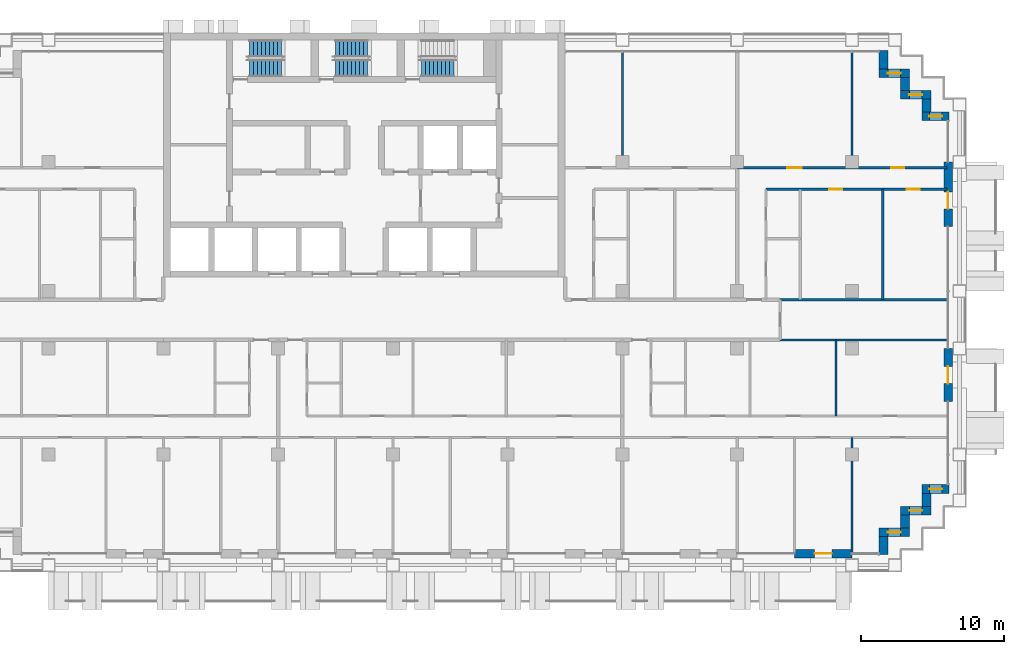
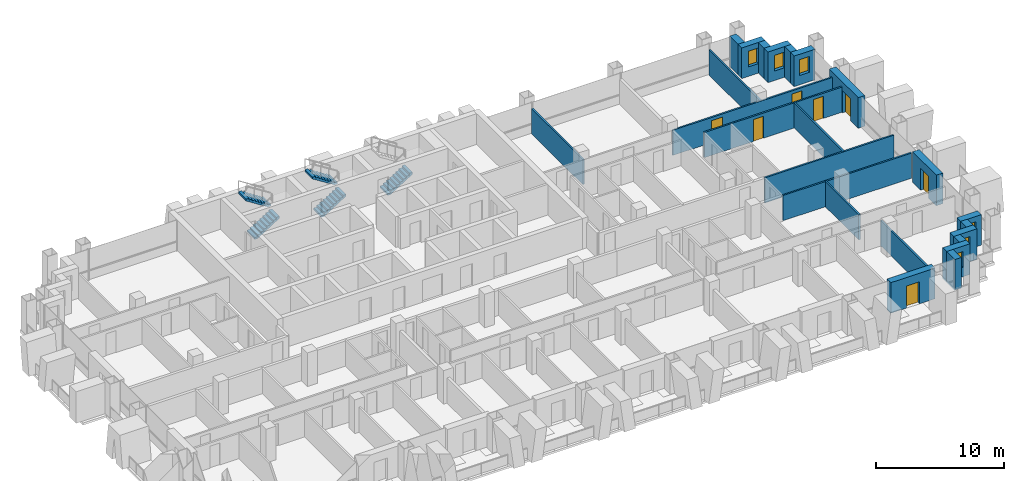
# One storey, part 13 of 19: 24 walls, 7 doors, 6 windows, 5 stair flights, 13 openings, 3 elements without a shape of their own.
"""IFC4 building model written with IfcOpenShell, lengths in metres."""

import ifcopenshell
import ifcopenshell.guid

model = None  # the IFC model being written
_history = None  # IfcOwnerHistory: only IFC2X3 demands one
_inside = {}  # id of a spatial element -> (the spatial element, [elements in it])
_under = {}  # id of a project, library or spatial element -> (it, [spatial elements below it])
_declared = {}  # id of a project -> (the project, [libraries it declares])
_typed = {}  # id of a type object -> (the type object, [elements of that type])
_made_of = {}  # id of a material, layer set ... -> (it, [elements and type objects made of it])


def new_model(schema):
    """Start an empty IFC model of exactly this schema.

    Asked for "IFC4X3", IfcOpenShell would pick the latest addendum, in which some entities
    have other attributes; the version numbers below select the first issue.
    IFC2X3 requires an IfcOwnerHistory on every rooted entity: one is made here for all.
    """
    global model, _history
    if schema == "IFC4X3":
        model = ifcopenshell.file(schema_version=(4, 3, 0, 0))
    else:
        model = ifcopenshell.file(schema=schema)
    _inside.clear()
    _under.clear()
    _declared.clear()
    _typed.clear()
    _made_of.clear()
    _history = None
    if model.schema == "IFC2X3":
        org = make("IfcOrganization", Name="unknown")
        user = make(
            "IfcPersonAndOrganization",
            ThePerson=make("IfcPerson", FamilyName="unknown"),
            TheOrganization=org,
        )
        app = make(
            "IfcApplication",
            ApplicationDeveloper=org,
            Version="unknown",
            ApplicationFullName="unknown",
            ApplicationIdentifier="unknown",
        )
        _history = make(
            "IfcOwnerHistory",
            OwningUser=user,
            OwningApplication=app,
            ChangeAction="ADDED",
            CreationDate=0,
        )
    return model


def make(cls, **values):
    """One entity of the class cls with the attributes given. An attribute that is None is left unset."""
    return model.create_entity(
        cls, **{name: value for name, value in values.items() if value is not None}
    )


def rooted(cls, **values):
    """An entity with a GlobalId (a new one), such as an element, a storey or a relation."""
    return make(cls, GlobalId=ifcopenshell.guid.new(), OwnerHistory=_history, **values)


def si_unit(unit_type, name, prefix=None):
    """IfcSIUnit, for example si_unit("LENGTHUNIT", "METRE", prefix="MILLI")."""
    return make("IfcSIUnit", UnitType=unit_type, Prefix=prefix, Name=name)


def assignment(units):
    """IfcUnitAssignment: the units of a project."""
    return None if units is None else make("IfcUnitAssignment", Units=units)


def point(xyz):
    """IfcCartesianPoint."""
    return None if xyz is None else make("IfcCartesianPoint", Coordinates=xyz)


def direction(xyz):
    """IfcDirection."""
    return None if xyz is None else make("IfcDirection", DirectionRatios=xyz)


def frame(location, z_axis=None, x_axis=None):
    """IfcAxis2Placement3D, a coordinate frame: its origin and axes. An axis left out is left unset."""
    return make(
        "IfcAxis2Placement3D",
        Location=point(location),
        Axis=direction(z_axis),
        RefDirection=direction(x_axis),
    )


def frame_2d(location, x_axis=None):
    """IfcAxis2Placement2D, a coordinate frame in the plane: its origin and x axis."""
    return make(
        "IfcAxis2Placement2D", Location=point(location), RefDirection=direction(x_axis)
    )


def origin():
    """The frame at (0, 0, 0) with its axes left unset."""
    return frame((0.0, 0.0, 0.0))


def place(relative_to, where):
    """IfcLocalPlacement: puts the frame where relative to a parent placement (None: the world)."""
    return make(
        "IfcLocalPlacement", PlacementRelTo=relative_to, RelativePlacement=where
    )


def context(
    kind, dimensions, precision=None, world=None, true_north=None, identifier=None
):
    """IfcGeometricRepresentationContext, for example the 3D "Model" context."""
    return make(
        "IfcGeometricRepresentationContext",
        ContextIdentifier=identifier,
        ContextType=kind,
        CoordinateSpaceDimension=dimensions,
        Precision=precision,
        WorldCoordinateSystem=world,
        TrueNorth=true_north,
    )


def subcontext(parent, identifier, kind, view, scale=None):
    """IfcGeometricRepresentationSubContext, for example "Body" below "Model"."""
    return make(
        "IfcGeometricRepresentationSubContext",
        ContextIdentifier=identifier,
        ContextType=kind,
        ParentContext=parent,
        TargetScale=scale,
        TargetView=view,
    )


def project(units=None, contexts=None):
    """IfcProject with its units and contexts."""
    return rooted(
        "IfcProject",
        Name="project",
        RepresentationContexts=contexts,
        UnitsInContext=assignment(units),
    )


def spatial(cls, under=None, at=None, **own):
    """A site, building, storey or space (cls), placed at a placement, below another one or the project."""
    s = rooted(cls, ObjectPlacement=at, **own)
    if under is not None:
        _under.setdefault(under.id(), (under, []))[1].append(s)
    return s


def polyline(points):
    """IfcPolyline through the points."""
    return make("IfcPolyline", Points=[point(p) for p in points])


def profile(cls, at=None, kind="AREA", **sizes):
    """A parametric profile (cls). Its sizes go by their IFC names, for example OverallWidth=200.0."""
    return make(cls, ProfileType=kind, Position=at, **sizes)


def rectangle(**sizes):
    """IfcRectangleProfileDef."""
    return profile("IfcRectangleProfileDef", **sizes)


def outline(outer, holes=None, kind="AREA"):
    """IfcArbitraryClosedProfileDef: a profile drawn as a closed curve; with holes, ...WithVoids."""
    if holes is None:
        return make("IfcArbitraryClosedProfileDef", ProfileType=kind, OuterCurve=outer)
    return make(
        "IfcArbitraryProfileDefWithVoids",
        ProfileType=kind,
        OuterCurve=outer,
        InnerCurves=holes,
    )


def extrude(swept, where, along, depth):
    """IfcExtrudedAreaSolid: the profile swept, set in the frame where, extruded along a direction by depth."""
    return make(
        "IfcExtrudedAreaSolid",
        SweptArea=swept,
        Position=where,
        ExtrudedDirection=direction(along),
        Depth=depth,
    )


def shape(context_of_items, identifier, shape_type, items):
    """IfcShapeRepresentation: the items that make up one representation, for example the "Body"."""
    return make(
        "IfcShapeRepresentation",
        ContextOfItems=context_of_items,
        RepresentationIdentifier=identifier,
        RepresentationType=shape_type,
        Items=items,
    )


def material(Name=None, Category=None):
    """IfcMaterial."""
    return make("IfcMaterial", Name=Name, Category=Category)


def layer(
    of_material, thickness, ventilated=None, Name=None, Category=None, Priority=None
):
    """IfcMaterialLayer: one layer of a wall or slab, of a material (None: an air gap)."""
    return make(
        "IfcMaterialLayer",
        Material=of_material,
        LayerThickness=thickness,
        IsVentilated=ventilated,
        Name=Name,
        Category=Category,
        Priority=Priority,
    )


def layer_set(layers, Name=None):
    """IfcMaterialLayerSet."""
    return make("IfcMaterialLayerSet", MaterialLayers=layers, LayerSetName=Name)


def made_of(thing, what):
    """Note that an element or type object is made of a material, layer set ...; save() writes the relation."""
    if what is not None:
        _made_of.setdefault(what.id(), (what, []))[1].append(thing)
    return thing


def type_object(cls, material=None, **own):
    """A type object (cls), such as IfcWallType, which elements share."""
    return made_of(rooted(cls, **own), material)


def element(
    cls,
    number,
    at=None,
    inside=None,
    cuts=None,
    type_object=None,
    material=None,
    context=None,
    identifier="Body",
    shape_type=None,
    held_by="IfcProductDefinitionShape",
    body=None,
    shapes=None,
    **own,
):
    """One element of the class cls, such as IfcWall. Its Tag is "e" and its number.

    at: its placement. inside: the storey or other place that contains it. cuts: it is an
    opening in that element (IfcRelVoidsElement). A single representation is given by context,
    identifier, shape_type and body (its items); several are given by shapes. held_by: the class
    of the entity that holds the representations. save() writes the other relations.
    """
    e = rooted(cls, Tag="e%d" % number, ObjectPlacement=at, **own)
    if body is not None:
        shapes = [shape(context, identifier, shape_type, body)]
    if shapes is not None:
        e.Representation = make(held_by, Representations=shapes)
    if inside is not None:
        _inside.setdefault(inside.id(), (inside, []))[1].append(e)
    if cuts is not None:
        rooted(
            "IfcRelVoidsElement", RelatingBuildingElement=cuts, RelatedOpeningElement=e
        )
    if type_object is not None:
        _typed.setdefault(type_object.id(), (type_object, []))[1].append(e)
    return made_of(e, material)


def fill(opening, filler):
    """IfcRelFillsElement: the door or window that sits in an opening."""
    return rooted(
        "IfcRelFillsElement",
        RelatingOpeningElement=opening,
        RelatedBuildingElement=filler,
    )


def aggregate(whole, parts):
    """IfcRelAggregates: a whole, such as a stair, and the parts it consists of."""
    return rooted("IfcRelAggregates", RelatingObject=whole, RelatedObjects=parts)


def save(model, path):
    """Write the relations noted so far, then the file.

    IfcRelAggregates (storeys below a building ...), IfcRelContainedInSpatialStructure (elements
    in a storey), IfcRelDefinesByType, IfcRelAssociatesMaterial and IfcRelDeclares: one each for
    every whole, place, type object, material and project.
    """
    for whole, parts in _under.values():
        aggregate(whole, parts)
    for where, things in _inside.values():
        rooted(
            "IfcRelContainedInSpatialStructure",
            RelatedElements=things,
            RelatingStructure=where,
        )
    for kind, things in _typed.values():
        rooted("IfcRelDefinesByType", RelatedObjects=things, RelatingType=kind)
    for what, things in _made_of.values():
        rooted("IfcRelAssociatesMaterial", RelatedObjects=things, RelatingMaterial=what)
    for by, libraries in _declared.values():
        rooted("IfcRelDeclares", RelatingContext=by, RelatedDefinitions=libraries)
    model.write(path)


model = new_model("IFC4")

# Units and contexts
model_context = context("Model", 3, precision=1e-05, world=origin(), true_north=direction((0.0, 1.0)))
body_context = subcontext(model_context, "Body", "Model", "MODEL_VIEW")
ifc_project = project(units=[si_unit("LENGTHUNIT", "METRE"), si_unit("AREAUNIT", "SQUARE_METRE"), si_unit("VOLUMEUNIT", "CUBIC_METRE"), si_unit("PLANEANGLEUNIT", "RADIAN"), si_unit("MASSUNIT", "GRAM", prefix="KILO")], contexts=[model_context])

# Site, building, storey
site_placement = place(None, origin())
site = spatial("IfcSite", under=ifc_project, at=site_placement, CompositionType="ELEMENT")
building_placement = place(site_placement, origin())
building = spatial("IfcBuilding", under=site, at=building_placement, Name="Vidyagriha Tower", CompositionType="ELEMENT")
storey_placement = place(building_placement, frame((0.0, 0.0, 99.89990234375)))
storey = spatial("IfcBuildingStorey", under=building, at=storey_placement, Name="L26", CompositionType="ELEMENT", Elevation=99.89990234375)

# Wall, opening, window
ifc_material_1 = material(Name="Precast concrete C40/50 with brick facing", Category="concrete")
ifc_layer_1 = layer(ifc_material_1, 0.60009765625)
ifc_layer_set_1 = layer_set([ifc_layer_1], Name="Precast concrete C40/50 with brick facing")
wall_type_1 = type_object("IfcWallType", Name="Brick-faced precast wall 600", PredefinedType="STANDARD", material=ifc_layer_set_1)
wall_1_placement = place(storey_placement, frame((40.780029296875, 14.199951171875, 0.0), z_axis=(0.0, 0.0, 1.0), x_axis=(-1.0, 0.0, 0.0)))
wall_1 = element("IfcWall", 1, at=wall_1_placement, inside=storey, type_object=wall_type_1, Name="Stepped corner wall L26 R01", PredefinedType="STANDARD", context=body_context, shape_type="SweptSolid", body=[
    extrude(rectangle(XDim=1.880126953125, YDim=0.60009765625, at=frame_2d((0.93994140625, 0.0))), origin(), (0.0, 0.0, 1.0), 2.920166015625),
])
opening_1_placement = place(wall_1_placement, frame((0.489990234375, 0.0, 0.89990234375)))
opening_1 = element("IfcOpeningElement", 2, at=opening_1_placement, cuts=wall_1, Name="Opening WN1", PredefinedType="OPENING", context=body_context, shape_type="SweptSolid", body=[
    extrude(rectangle(XDim=0.89990234375, YDim=1.5, at=frame_2d((0.449951171875, 0.75))), frame((0.0, 0.31005859375, 0.0), z_axis=(0.0, -1.0, 0.0), x_axis=(1.0, 0.0, 0.0)), (0.0, 0.0, 1.0), 0.6201171875),
])
ifc_material_2 = material(Name="Aluminium and glass window", Category="aluminium")
window_type = type_object("IfcWindowType", Name="Reveal window 900x1500", PartitioningType="NOTDEFINED", PredefinedType="WINDOW", material=ifc_material_2)
window_1_placement = place(opening_1_placement, origin())
window_1 = element("IfcWindow", 3, at=window_1_placement, inside=storey, type_object=window_type, Name="Reveal window L26 R01", OverallHeight=1.5, OverallWidth=0.89990234375, PartitioningType="SINGLE_PANEL", PredefinedType="WINDOW", context=body_context, shape_type="SweptSolid", body=[
    extrude(rectangle(XDim=0.89990234375, YDim=1.5, at=frame_2d((0.449951171875, 0.75))), frame((0.0, 0.030029296875, 0.0), z_axis=(0.0, -1.0, 0.0), x_axis=(1.0, 0.0, 0.0)), (0.0, 0.0, 1.0), 0.06005859375),
])
fill(opening_1, window_1)

# Wall
wall_2_placement = place(storey_placement, frame((39.199951171875, 14.5, 0.0), z_axis=(0.0, 0.0, 1.0), x_axis=(0.0, 1.0, 0.0)))
element("IfcWall", 4, at=wall_2_placement, inside=storey, type_object=wall_type_1, Name="Stepped corner wall L26 R02", PredefinedType="STANDARD", context=body_context, shape_type="SweptSolid", body=[
    extrude(rectangle(XDim=0.89990234375, YDim=0.60009765625, at=frame_2d((0.449951171875, 0.0))), origin(), (0.0, 0.0, 1.0), 2.920166015625),
])

# Wall, opening, window
wall_3_placement = place(storey_placement, frame((39.5, 15.699951171875, 0.0), z_axis=(0.0, 0.0, 1.0), x_axis=(-1.0, 0.0, 0.0)))
wall_3 = element("IfcWall", 5, at=wall_3_placement, inside=storey, type_object=wall_type_1, Name="Stepped corner wall L26 R03", PredefinedType="STANDARD", context=body_context, shape_type="SweptSolid", body=[
    extrude(rectangle(XDim=2.10009765625, YDim=0.60009765625, at=frame_2d((1.050048828125, 0.0))), origin(), (0.0, 0.0, 1.0), 2.920166015625),
])
opening_2_placement = place(wall_3_placement, frame((0.60009765625, 0.0, 0.89990234375)))
opening_2 = element("IfcOpeningElement", 6, at=opening_2_placement, cuts=wall_3, Name="Opening WN1", PredefinedType="OPENING", context=body_context, shape_type="SweptSolid", body=[
    extrude(rectangle(XDim=0.89990234375, YDim=1.5, at=frame_2d((0.449951171875, 0.75))), frame((0.0, 0.31005859375, 0.0), z_axis=(0.0, -1.0, 0.0), x_axis=(1.0, 0.0, 0.0)), (0.0, 0.0, 1.0), 0.6201171875),
])
window_2_placement = place(opening_2_placement, origin())
window_2 = element("IfcWindow", 7, at=window_2_placement, inside=storey, type_object=window_type, Name="Reveal window L26 R03", OverallHeight=1.5, OverallWidth=0.89990234375, PartitioningType="SINGLE_PANEL", PredefinedType="WINDOW", context=body_context, shape_type="SweptSolid", body=[
    extrude(rectangle(XDim=0.89990234375, YDim=1.5, at=frame_2d((0.449951171875, 0.75))), frame((0.0, 0.030029296875, 0.0), z_axis=(0.0, -1.0, 0.0), x_axis=(1.0, 0.0, 0.0)), (0.0, 0.0, 1.0), 0.06005859375),
])
fill(opening_2, window_2)

# Wall
wall_4_placement = place(storey_placement, frame((37.699951171875, 16.0, 0.0), z_axis=(0.0, 0.0, 1.0), x_axis=(0.0, 1.0, 0.0)))
element("IfcWall", 8, at=wall_4_placement, inside=storey, type_object=wall_type_1, Name="Stepped corner wall L26 R04", PredefinedType="STANDARD", context=body_context, shape_type="SweptSolid", body=[
    extrude(rectangle(XDim=0.89990234375, YDim=0.60009765625, at=frame_2d((0.449951171875, 0.0))), origin(), (0.0, 0.0, 1.0), 2.920166015625),
])

# Wall, opening, window
wall_5_placement = place(storey_placement, frame((38.0, 17.199951171875, 0.0), z_axis=(0.0, 0.0, 1.0), x_axis=(-1.0, 0.0, 0.0)))
wall_5 = element("IfcWall", 9, at=wall_5_placement, inside=storey, type_object=wall_type_1, Name="Stepped corner wall L26 R05", PredefinedType="STANDARD", context=body_context, shape_type="SweptSolid", body=[
    extrude(rectangle(XDim=2.10009765625, YDim=0.60009765625, at=frame_2d((1.050048828125, 0.0))), origin(), (0.0, 0.0, 1.0), 2.920166015625),
])
opening_3_placement = place(wall_5_placement, frame((0.60009765625, 0.0, 0.89990234375)))
opening_3 = element("IfcOpeningElement", 10, at=opening_3_placement, cuts=wall_5, Name="Opening WN1", PredefinedType="OPENING", context=body_context, shape_type="SweptSolid", body=[
    extrude(rectangle(XDim=0.89990234375, YDim=1.5, at=frame_2d((0.449951171875, 0.75))), frame((0.0, 0.31005859375, 0.0), z_axis=(0.0, -1.0, 0.0), x_axis=(1.0, 0.0, 0.0)), (0.0, 0.0, 1.0), 0.6201171875),
])
window_3_placement = place(opening_3_placement, origin())
window_3 = element("IfcWindow", 11, at=window_3_placement, inside=storey, type_object=window_type, Name="Reveal window L26 R05", OverallHeight=1.5, OverallWidth=0.89990234375, PartitioningType="SINGLE_PANEL", PredefinedType="WINDOW", context=body_context, shape_type="SweptSolid", body=[
    extrude(rectangle(XDim=0.89990234375, YDim=1.5, at=frame_2d((0.449951171875, 0.75))), frame((0.0, 0.030029296875, 0.0), z_axis=(0.0, -1.0, 0.0), x_axis=(1.0, 0.0, 0.0)), (0.0, 0.0, 1.0), 0.06005859375),
])
fill(opening_3, window_3)

# Wall
wall_6_placement = place(storey_placement, frame((36.199951171875, 17.5, 0.0), z_axis=(0.0, 0.0, 1.0), x_axis=(0.0, 1.0, 0.0)))
element("IfcWall", 12, at=wall_6_placement, inside=storey, type_object=wall_type_1, Name="Stepped corner wall L26 R06", PredefinedType="STANDARD", context=body_context, shape_type="SweptSolid", body=[
    extrude(rectangle(XDim=1.280029296875, YDim=0.60009765625, at=frame_2d((0.64013671875, 0.0))), origin(), (0.0, 0.0, 1.0), 2.920166015625),
])

# Wall, opening, door
wall_7_placement = place(storey_placement, frame((30.0, -16.300048828125, 0.0)))
wall_7 = element("IfcWall", 13, at=wall_7_placement, inside=storey, type_object=wall_type_1, Name="Brick door bay wall L26 R23.15", PredefinedType="STANDARD", context=body_context, shape_type="SweptSolid", body=[
    extrude(rectangle(XDim=4.0, YDim=0.60009765625, at=frame_2d((2.0, 0.0))), origin(), (0.0, 0.0, 1.0), 2.920166015625),
])
opening_4_placement = place(wall_7_placement, frame((1.39990234375, 0.0, 0.0)))
opening_4 = element("IfcOpeningElement", 14, at=opening_4_placement, cuts=wall_7, Name="Opening D26-76", PredefinedType="OPENING", context=body_context, shape_type="SweptSolid", body=[
    extrude(rectangle(XDim=1.199951171875, YDim=2.10009765625, at=frame_2d((0.60009765625, 1.050048828125))), frame((0.0, 0.31005859375, 0.0), z_axis=(0.0, -1.0, 0.0), x_axis=(1.0, 0.0, 0.0)), (0.0, 0.0, 1.0), 0.6201171875),
])
ifc_material_3 = material(Name="Aluminium framed glazed sliding door", Category="aluminium")
door_type_1 = type_object("IfcDoorType", Name="Balcony sliding door 1200x2100", OperationType="NOTDEFINED", PredefinedType="DOOR", material=ifc_material_3)
door_1_placement = place(opening_4_placement, origin())
door_1 = element("IfcDoor", 15, at=door_1_placement, inside=storey, type_object=door_type_1, Name="Door D26-76", OperationType="SLIDING_TO_LEFT", OverallHeight=2.10009765625, OverallWidth=1.199951171875, PredefinedType="DOOR", context=body_context, shape_type="SweptSolid", body=[
    extrude(rectangle(XDim=1.199951171875, YDim=2.10009765625, at=frame_2d((0.60009765625, 1.050048828125))), frame((0.0, 0.02490234375, 0.0), z_axis=(0.0, -1.0, 0.0), x_axis=(1.0, 0.0, 0.0)), (0.0, 0.0, 1.0), 0.050048828125),
])
fill(opening_4, door_1)

# Wall
wall_8_placement = place(storey_placement, frame((36.199951171875, -16.3798828125, 0.0), z_axis=(0.0, 0.0, 1.0), x_axis=(0.0, 1.0, 0.0)))
element("IfcWall", 16, at=wall_8_placement, inside=storey, type_object=wall_type_1, Name="Stepped corner wall L26 R24", PredefinedType="STANDARD", context=body_context, shape_type="SweptSolid", body=[
    extrude(rectangle(XDim=1.27978515625, YDim=0.60009765625, at=frame_2d((0.639892578125, 0.0))), origin(), (0.0, 0.0, 1.0), 2.920166015625),
])

# Wall, opening, window
wall_9_placement = place(storey_placement, frame((35.89990234375, -14.800048828125, 0.0)))
wall_9 = element("IfcWall", 17, at=wall_9_placement, inside=storey, type_object=wall_type_1, Name="Stepped corner wall L26 R25", PredefinedType="STANDARD", context=body_context, shape_type="SweptSolid", body=[
    extrude(rectangle(XDim=2.10009765625, YDim=0.60009765625, at=frame_2d((1.050048828125, 0.0))), origin(), (0.0, 0.0, 1.0), 2.920166015625),
])
opening_5_placement = place(wall_9_placement, frame((0.60009765625, 0.0, 0.89990234375)))
opening_5 = element("IfcOpeningElement", 18, at=opening_5_placement, cuts=wall_9, Name="Opening WN1", PredefinedType="OPENING", context=body_context, shape_type="SweptSolid", body=[
    extrude(rectangle(XDim=0.89990234375, YDim=1.5, at=frame_2d((0.449951171875, 0.75))), frame((0.0, 0.31005859375, 0.0), z_axis=(0.0, -1.0, 0.0), x_axis=(1.0, 0.0, 0.0)), (0.0, 0.0, 1.0), 0.6201171875),
])
window_4_placement = place(opening_5_placement, origin())
window_4 = element("IfcWindow", 19, at=window_4_placement, inside=storey, type_object=window_type, Name="Reveal window L26 R25", OverallHeight=1.5, OverallWidth=0.89990234375, PartitioningType="SINGLE_PANEL", PredefinedType="WINDOW", context=body_context, shape_type="SweptSolid", body=[
    extrude(rectangle(XDim=0.89990234375, YDim=1.5, at=frame_2d((0.449951171875, 0.75))), frame((0.0, 0.030029296875, 0.0), z_axis=(0.0, -1.0, 0.0), x_axis=(1.0, 0.0, 0.0)), (0.0, 0.0, 1.0), 0.06005859375),
])
fill(opening_5, window_4)

# Wall
wall_10_placement = place(storey_placement, frame((37.699951171875, -14.5, 0.0), z_axis=(0.0, 0.0, 1.0), x_axis=(0.0, 1.0, 0.0)))
element("IfcWall", 20, at=wall_10_placement, inside=storey, type_object=wall_type_1, Name="Stepped corner wall L26 R26", PredefinedType="STANDARD", context=body_context, shape_type="SweptSolid", body=[
    extrude(rectangle(XDim=0.89990234375, YDim=0.60009765625, at=frame_2d((0.449951171875, 0.0))), origin(), (0.0, 0.0, 1.0), 2.920166015625),
])

# Wall, opening, window
wall_11_placement = place(storey_placement, frame((37.39990234375, -13.300048828125, 0.0)))
wall_11 = element("IfcWall", 21, at=wall_11_placement, inside=storey, type_object=wall_type_1, Name="Stepped corner wall L26 R27", PredefinedType="STANDARD", context=body_context, shape_type="SweptSolid", body=[
    extrude(rectangle(XDim=2.10009765625, YDim=0.60009765625, at=frame_2d((1.050048828125, 0.0))), origin(), (0.0, 0.0, 1.0), 2.920166015625),
])
opening_6_placement = place(wall_11_placement, frame((0.60009765625, 0.0, 0.89990234375)))
opening_6 = element("IfcOpeningElement", 22, at=opening_6_placement, cuts=wall_11, Name="Opening WN1", PredefinedType="OPENING", context=body_context, shape_type="SweptSolid", body=[
    extrude(rectangle(XDim=0.89990234375, YDim=1.5, at=frame_2d((0.449951171875, 0.75))), frame((0.0, 0.31005859375, 0.0), z_axis=(0.0, -1.0, 0.0), x_axis=(1.0, 0.0, 0.0)), (0.0, 0.0, 1.0), 0.6201171875),
])
window_5_placement = place(opening_6_placement, origin())
window_5 = element("IfcWindow", 23, at=window_5_placement, inside=storey, type_object=window_type, Name="Reveal window L26 R27", OverallHeight=1.5, OverallWidth=0.89990234375, PartitioningType="SINGLE_PANEL", PredefinedType="WINDOW", context=body_context, shape_type="SweptSolid", body=[
    extrude(rectangle(XDim=0.89990234375, YDim=1.5, at=frame_2d((0.449951171875, 0.75))), frame((0.0, 0.030029296875, 0.0), z_axis=(0.0, -1.0, 0.0), x_axis=(1.0, 0.0, 0.0)), (0.0, 0.0, 1.0), 0.06005859375),
])
fill(opening_6, window_5)

# Wall
wall_12_placement = place(storey_placement, frame((39.199951171875, -13.0, 0.0), z_axis=(0.0, 0.0, 1.0), x_axis=(0.0, 1.0, 0.0)))
element("IfcWall", 24, at=wall_12_placement, inside=storey, type_object=wall_type_1, Name="Stepped corner wall L26 R28", PredefinedType="STANDARD", context=body_context, shape_type="SweptSolid", body=[
    extrude(rectangle(XDim=0.89990234375, YDim=0.60009765625, at=frame_2d((0.449951171875, 0.0))), origin(), (0.0, 0.0, 1.0), 2.920166015625),
])

# Wall, opening, window
wall_13_placement = place(storey_placement, frame((38.89990234375, -11.800048828125, 0.0)))
wall_13 = element("IfcWall", 25, at=wall_13_placement, inside=storey, type_object=wall_type_1, Name="Stepped corner wall L26 R29", PredefinedType="STANDARD", context=body_context, shape_type="SweptSolid", body=[
    extrude(rectangle(XDim=1.880126953125, YDim=0.60009765625, at=frame_2d((0.93994140625, 0.0))), origin(), (0.0, 0.0, 1.0), 2.920166015625),
])
opening_7_placement = place(wall_13_placement, frame((0.489990234375, 0.0, 0.89990234375)))
opening_7 = element("IfcOpeningElement", 26, at=opening_7_placement, cuts=wall_13, Name="Opening WN1", PredefinedType="OPENING", context=body_context, shape_type="SweptSolid", body=[
    extrude(rectangle(XDim=0.89990234375, YDim=1.5, at=frame_2d((0.449951171875, 0.75))), frame((0.0, 0.31005859375, 0.0), z_axis=(0.0, -1.0, 0.0), x_axis=(1.0, 0.0, 0.0)), (0.0, 0.0, 1.0), 0.6201171875),
])
window_6_placement = place(opening_7_placement, origin())
window_6 = element("IfcWindow", 27, at=window_6_placement, inside=storey, type_object=window_type, Name="Reveal window L26 R29", OverallHeight=1.5, OverallWidth=0.89990234375, PartitioningType="SINGLE_PANEL", PredefinedType="WINDOW", context=body_context, shape_type="SweptSolid", body=[
    extrude(rectangle(XDim=0.89990234375, YDim=1.5, at=frame_2d((0.449951171875, 0.75))), frame((0.0, 0.030029296875, 0.0), z_axis=(0.0, -1.0, 0.0), x_axis=(1.0, 0.0, 0.0)), (0.0, 0.0, 1.0), 0.06005859375),
])
fill(opening_7, window_6)

# Wall, opening, door
wall_14_placement = place(storey_placement, frame((40.699951171875, -5.699951171875, 0.0), z_axis=(0.0, 0.0, 1.0), x_axis=(0.0, 1.0, 0.0)))
wall_14 = element("IfcWall", 28, at=wall_14_placement, inside=storey, type_object=wall_type_1, Name="Brick door bay wall L26 R30.3", PredefinedType="STANDARD", context=body_context, shape_type="SweptSolid", body=[
    extrude(rectangle(XDim=3.699951171875, YDim=0.60009765625, at=frame_2d((1.85009765625, 0.0))), origin(), (0.0, 0.0, 1.0), 2.920166015625),
])
opening_8_placement = place(wall_14_placement, frame((1.25, 0.0, 0.0)))
opening_8 = element("IfcOpeningElement", 29, at=opening_8_placement, cuts=wall_14, Name="Opening D26-77", PredefinedType="OPENING", context=body_context, shape_type="SweptSolid", body=[
    extrude(rectangle(XDim=1.199951171875, YDim=2.10009765625, at=frame_2d((0.60009765625, 1.050048828125))), frame((0.0, 0.31005859375, 0.0), z_axis=(0.0, -1.0, 0.0), x_axis=(1.0, 0.0, 0.0)), (0.0, 0.0, 1.0), 0.6201171875),
])
door_2_placement = place(opening_8_placement, origin())
door_2 = element("IfcDoor", 30, at=door_2_placement, inside=storey, type_object=door_type_1, Name="Door D26-77", OperationType="SLIDING_TO_LEFT", OverallHeight=2.10009765625, OverallWidth=1.199951171875, PredefinedType="DOOR", context=body_context, shape_type="SweptSolid", body=[
    extrude(rectangle(XDim=1.199951171875, YDim=2.10009765625, at=frame_2d((0.60009765625, 1.050048828125))), frame((0.0, 0.02490234375, 0.0), z_axis=(0.0, -1.0, 0.0), x_axis=(1.0, 0.0, 0.0)), (0.0, 0.0, 1.0), 0.050048828125),
])
fill(opening_8, door_2)

wall_15_placement = place(storey_placement, frame((40.699951171875, 6.5, 0.0), z_axis=(0.0, 0.0, 1.0), x_axis=(0.0, 1.0, 0.0)))
wall_15 = element("IfcWall", 31, at=wall_15_placement, inside=storey, type_object=wall_type_1, Name="Brick door bay wall L26 R30.6", PredefinedType="STANDARD", context=body_context, shape_type="SweptSolid", body=[
    extrude(rectangle(XDim=4.5, YDim=0.60009765625, at=frame_2d((2.25, 0.0))), origin(), (0.0, 0.0, 1.0), 2.920166015625),
])
opening_9_placement = place(wall_15_placement, frame((1.22509765625, 0.0, 0.0)))
opening_9 = element("IfcOpeningElement", 32, at=opening_9_placement, cuts=wall_15, Name="Opening D26-78", PredefinedType="OPENING", context=body_context, shape_type="SweptSolid", body=[
    extrude(rectangle(XDim=1.199951171875, YDim=2.10009765625, at=frame_2d((0.60009765625, 1.050048828125))), frame((0.0, 0.31005859375, 0.0), z_axis=(0.0, -1.0, 0.0), x_axis=(1.0, 0.0, 0.0)), (0.0, 0.0, 1.0), 0.6201171875),
])
door_3_placement = place(opening_9_placement, origin())
door_3 = element("IfcDoor", 33, at=door_3_placement, inside=storey, type_object=door_type_1, Name="Door D26-78", OperationType="SLIDING_TO_LEFT", OverallHeight=2.10009765625, OverallWidth=1.199951171875, PredefinedType="DOOR", context=body_context, shape_type="SweptSolid", body=[
    extrude(rectangle(XDim=1.199951171875, YDim=2.10009765625, at=frame_2d((0.60009765625, 1.050048828125))), frame((0.0, 0.02490234375, 0.0), z_axis=(0.0, -1.0, 0.0), x_axis=(1.0, 0.0, 0.0)), (0.0, 0.0, 1.0), 0.050048828125),
])
fill(opening_9, door_3)

# Walls
ifc_material_4 = material(Name="Gypsum board partition")
ifc_layer_2 = layer(ifc_material_4, 0.14990234375)
ifc_layer_set_2 = layer_set([ifc_layer_2], Name="Gypsum board partition")
wall_type_2 = type_object("IfcWallType", Name="Gypsum board partition 150", PredefinedType="PARTITIONING", material=ifc_layer_set_2)
wall_16_placement = place(storey_placement, frame((32.89990234375, -1.39990234375, 0.0), z_axis=(0.0, 0.0, 1.0), x_axis=(0.0, -1.0, 0.0)))
element("IfcWall", 34, at=wall_16_placement, inside=storey, type_object=wall_type_2, Name="Wall all-L26-w052", PredefinedType="PARTITIONING", context=body_context, shape_type="SweptSolid", body=[
    extrude(rectangle(XDim=5.300048828125, YDim=0.14990234375, at=frame_2d((2.64990234375, 0.0))), origin(), (0.0, 0.0, 1.0), 2.400146484375),
])
wall_17_placement = place(storey_placement, frame((34.0, -8.199951171875, 0.0), z_axis=(0.0, 0.0, 1.0), x_axis=(0.0, -1.0, 0.0)))
element("IfcWall", 35, at=wall_17_placement, inside=storey, type_object=wall_type_2, Name="Wall all-L26-w064", PredefinedType="PARTITIONING", context=body_context, shape_type="SweptSolid", body=[
    extrude(rectangle(XDim=8.010009765625, YDim=0.14990234375, at=frame_2d((4.0048828125, 0.0))), origin(), (0.0, 0.0, 1.0), 2.400146484375),
])
wall_18_placement = place(storey_placement, frame((40.6201171875, -1.39990234375, 0.0), z_axis=(0.0, 0.0, 1.0), x_axis=(-1.0, 0.0, 0.0)))
element("IfcWall", 36, at=wall_18_placement, inside=storey, type_object=wall_type_2, Name="Wall all-L26-w069", PredefinedType="PARTITIONING", context=body_context, shape_type="SweptSolid", body=[
    extrude(rectangle(XDim=11.6201171875, YDim=0.14990234375, at=frame_2d((5.81005859375, 0.0))), origin(), (0.0, 0.0, 1.0), 2.400146484375),
])
wall_19_placement = place(storey_placement, frame((18.0, 18.62109375, 0.0), z_axis=(0.0, 0.0, 1.0), x_axis=(0.0, -1.0, 0.0)))
element("IfcWall", 37, at=wall_19_placement, inside=storey, type_object=wall_type_2, Name="Wall all-L26-w097", PredefinedType="PARTITIONING", context=body_context, shape_type="SweptSolid", body=[
    extrude(rectangle(XDim=8.02099609375, YDim=0.14990234375, at=frame_2d((4.010498046875, 0.0))), origin(), (0.0, 0.0, 1.0), 2.400146484375),
])
wall_20_placement = place(storey_placement, frame((36.14990234375, 9.10009765625, 0.0), z_axis=(0.0, 0.0, 1.0), x_axis=(0.0, -1.0, 0.0)))
element("IfcWall", 38, at=wall_20_placement, inside=storey, type_object=wall_type_2, Name="Wall all-L26-w104", PredefinedType="PARTITIONING", context=body_context, shape_type="SweptSolid", body=[
    extrude(rectangle(XDim=7.7001953125, YDim=0.14990234375, at=frame_2d((3.85009765625, 0.0))), origin(), (0.0, 0.0, 1.0), 2.400146484375),
])

# Wall, openings, doors
wall_21_placement = place(storey_placement, frame((40.610107421875, 9.10009765625, 0.0), z_axis=(0.0, 0.0, 1.0), x_axis=(-1.0, 0.0, 0.0)))
wall_21 = element("IfcWall", 39, at=wall_21_placement, inside=storey, type_object=wall_type_2, Name="Wall all-L26-w105", PredefinedType="PARTITIONING", context=body_context, shape_type="SweptSolid", body=[
    extrude(rectangle(XDim=12.610107421875, YDim=0.14990234375, at=frame_2d((6.30517578125, 0.0))), origin(), (0.0, 0.0, 1.0), 2.400146484375),
])
opening_10_placement = place(wall_21_placement, frame((7.299072265625, 0.0, 0.0)))
opening_10 = element("IfcOpeningElement", 40, at=opening_10_placement, cuts=wall_21, Name="Opening D26-62", PredefinedType="OPENING", context=body_context, shape_type="SweptSolid", body=[
    extrude(rectangle(XDim=0.89990234375, YDim=2.10009765625, at=frame_2d((0.449951171875, 1.050048828125))), frame((0.0, 0.0849609375, 0.0), z_axis=(0.0, -1.0, 0.0), x_axis=(1.0, 0.0, 0.0)), (0.0, 0.0, 1.0), 0.169921875),
])
opening_11_placement = place(wall_21_placement, frame((1.885009765625, 0.0, 0.0)))
opening_11 = element("IfcOpeningElement", 41, at=opening_11_placement, cuts=wall_21, Name="Opening D26-63", PredefinedType="OPENING", context=body_context, shape_type="SweptSolid", body=[
    extrude(rectangle(XDim=0.89990234375, YDim=2.10009765625, at=frame_2d((0.449951171875, 1.050048828125))), frame((0.0, 0.0849609375, 0.0), z_axis=(0.0, -1.0, 0.0), x_axis=(1.0, 0.0, 0.0)), (0.0, 0.0, 1.0), 0.169921875),
])
ifc_material_5 = material(Name="Timber door leaf", Category="wood")
door_type_2 = type_object("IfcDoorType", Name="Room door 900x2100", OperationType="NOTDEFINED", PredefinedType="DOOR", material=ifc_material_5)
door_4_placement = place(opening_10_placement, origin())
door_4 = element("IfcDoor", 42, at=door_4_placement, inside=storey, type_object=door_type_2, Name="Door D26-62", OperationType="SINGLE_SWING_RIGHT", OverallHeight=2.10009765625, OverallWidth=0.89990234375, PredefinedType="DOOR", context=body_context, shape_type="SweptSolid", body=[
    extrude(rectangle(XDim=0.89990234375, YDim=2.10009765625, at=frame_2d((0.449951171875, 1.050048828125))), frame((0.0, 0.02490234375, 0.0), z_axis=(0.0, -1.0, 0.0), x_axis=(1.0, 0.0, 0.0)), (0.0, 0.0, 1.0), 0.050048828125),
])
fill(opening_10, door_4)
door_5_placement = place(opening_11_placement, origin())
door_5 = element("IfcDoor", 43, at=door_5_placement, inside=storey, type_object=door_type_2, Name="Door D26-63", OperationType="SINGLE_SWING_RIGHT", OverallHeight=2.10009765625, OverallWidth=0.89990234375, PredefinedType="DOOR", context=body_context, shape_type="SweptSolid", body=[
    extrude(rectangle(XDim=0.89990234375, YDim=2.10009765625, at=frame_2d((0.449951171875, 1.050048828125))), frame((0.0, 0.02490234375, 0.0), z_axis=(0.0, -1.0, 0.0), x_axis=(1.0, 0.0, 0.0)), (0.0, 0.0, 1.0), 0.050048828125),
])
fill(opening_11, door_5)

wall_22_placement = place(storey_placement, frame((26.0, 10.60009765625, 0.0)))
wall_22 = element("IfcWall", 44, at=wall_22_placement, inside=storey, type_object=wall_type_2, Name="Wall all-L26-w108", PredefinedType="PARTITIONING", context=body_context, shape_type="SweptSolid", body=[
    extrude(rectangle(XDim=14.610107421875, YDim=0.14990234375, at=frame_2d((7.30517578125, 0.0))), origin(), (0.0, 0.0, 1.0), 2.400146484375),
])
opening_12_placement = place(wall_22_placement, frame((3.5, 0.0, 0.0)))
opening_12 = element("IfcOpeningElement", 45, at=opening_12_placement, cuts=wall_22, Name="Opening D26-64", PredefinedType="OPENING", context=body_context, shape_type="SweptSolid", body=[
    extrude(rectangle(XDim=1.0, YDim=2.10009765625, at=frame_2d((0.5, 1.050048828125))), frame((0.0, 0.0849609375, 0.0), z_axis=(0.0, -1.0, 0.0), x_axis=(1.0, 0.0, 0.0)), (0.0, 0.0, 1.0), 0.169921875),
])
opening_13_placement = place(wall_22_placement, frame((10.75, 0.0, 0.0)))
opening_13 = element("IfcOpeningElement", 46, at=opening_13_placement, cuts=wall_22, Name="Opening D26-65", PredefinedType="OPENING", context=body_context, shape_type="SweptSolid", body=[
    extrude(rectangle(XDim=0.89990234375, YDim=2.10009765625, at=frame_2d((0.449951171875, 1.050048828125))), frame((0.0, 0.0849609375, 0.0), z_axis=(0.0, -1.0, 0.0), x_axis=(1.0, 0.0, 0.0)), (0.0, 0.0, 1.0), 0.169921875),
])
ifc_material_6 = material(Name="Timber door leaf", Category="wood")
door_type_3 = type_object("IfcDoorType", Name="Room door 1000x2100", OperationType="NOTDEFINED", PredefinedType="DOOR", material=ifc_material_6)
door_6_placement = place(opening_12_placement, origin())
door_6 = element("IfcDoor", 47, at=door_6_placement, inside=storey, type_object=door_type_3, Name="Door D26-64", OperationType="SINGLE_SWING_RIGHT", OverallHeight=2.10009765625, OverallWidth=1.0, PredefinedType="DOOR", context=body_context, shape_type="SweptSolid", body=[
    extrude(rectangle(XDim=1.0, YDim=2.10009765625, at=frame_2d((0.5, 1.050048828125))), frame((0.0, 0.02490234375, 0.0), z_axis=(0.0, -1.0, 0.0), x_axis=(1.0, 0.0, 0.0)), (0.0, 0.0, 1.0), 0.050048828125),
])
fill(opening_12, door_6)
door_7_placement = place(opening_13_placement, origin())
door_7 = element("IfcDoor", 48, at=door_7_placement, inside=storey, type_object=door_type_2, Name="Door D26-65", OperationType="SINGLE_SWING_RIGHT", OverallHeight=2.10009765625, OverallWidth=0.89990234375, PredefinedType="DOOR", context=body_context, shape_type="SweptSolid", body=[
    extrude(rectangle(XDim=0.89990234375, YDim=2.10009765625, at=frame_2d((0.449951171875, 1.050048828125))), frame((0.0, 0.02490234375, 0.0), z_axis=(0.0, -1.0, 0.0), x_axis=(1.0, 0.0, 0.0)), (0.0, 0.0, 1.0), 0.050048828125),
])
fill(opening_13, door_7)

# Walls
wall_23_placement = place(storey_placement, frame((34.0, 18.62109375, 0.0), z_axis=(0.0, 0.0, 1.0), x_axis=(0.0, -1.0, 0.0)))
element("IfcWall", 49, at=wall_23_placement, inside=storey, type_object=wall_type_2, Name="Wall all-L26-w111", PredefinedType="PARTITIONING", context=body_context, shape_type="SweptSolid", body=[
    extrude(rectangle(XDim=8.02099609375, YDim=0.14990234375, at=frame_2d((4.010498046875, 0.0))), origin(), (0.0, 0.0, 1.0), 2.400146484375),
])
wall_24_placement = place(storey_placement, frame((29.0, 1.39990234375, 0.0)))
element("IfcWall", 50, at=wall_24_placement, inside=storey, type_object=wall_type_2, Name="Wall all-L26-w115", PredefinedType="PARTITIONING", context=body_context, shape_type="SweptSolid", body=[
    extrude(rectangle(XDim=11.6201171875, YDim=0.14990234375, at=frame_2d((5.81005859375, 0.0))), origin(), (0.0, 0.0, 1.0), 2.400146484375),
])

# Stair, stair flights
ifc_material_7 = material(Name="Concrete C40/50", Category="concrete")
stair_type = type_object("IfcStairType", Name="Exit stair, half-turn, precast flights", PredefinedType="HALF_TURN_STAIR", material=ifc_material_7)
stair_1_placement = place(storey_placement, origin())
stair_1 = element("IfcStair", 51, at=stair_1_placement, inside=storey, type_object=stair_type, Name="L26 Exit Stair ST1", PredefinedType="HALF_TURN_STAIR")
ifc_material_8 = material(Name="Precast concrete C40/50", Category="concrete")
stair_flight_type = type_object("IfcStairFlightType", Name="Exit stair flight 1200 mm, precast", PredefinedType="STRAIGHT", material=ifc_material_8)
stair_flight_1_placement = place(storey_placement, frame((-8.0, 17.550048828125, 0.0)))
stair_flight_1 = element("IfcStairFlight", 52, at=stair_flight_1_placement, type_object=stair_flight_type, Name="ST1 flight 1", NumberOfRisers=9, NumberOfTreads=8, PredefinedType="STRAIGHT", RiserHeight=0.177777778, TreadLength=0.28, context=body_context, shape_type="SweptSolid", body=[
    extrude(outline(polyline([(0.0, 0.0), (0.0, 0.177734375), (0.280029296875, 0.177734375), (0.280029296875, 0.35546875), (0.56005859375, 0.35546875), (0.56005859375, 0.533447265625), (0.840087890625, 0.533447265625), (0.840087890625, 0.711181640625), (1.1201171875, 0.711181640625), (1.1201171875, 0.888916015625), (1.39990234375, 0.888916015625), (1.39990234375, 1.066650390625), (1.679931640625, 1.066650390625), (1.679931640625, 1.244384765625), (1.9599609375, 1.244384765625), (1.9599609375, 1.422119140625), (2.239990234375, 1.422119140625), (2.239990234375, 1.60009765625), (2.239990234375, 1.24462890625), (0.27978515625, 0.0), (0.0, 0.0)])), frame((0.0, 0.60009765625, 0.0), z_axis=(0.0, -1.0, 0.0), x_axis=(1.0, 0.0, 0.0)), (0.0, 0.0, 1.0), 1.199951171875),
])
stair_flight_2_placement = place(storey_placement, frame((-5.760009765625, 18.89990234375, 1.60009765625), z_axis=(0.0, 0.0, 1.0), x_axis=(-1.0, 0.0, 0.0)))
stair_flight_2 = element("IfcStairFlight", 53, at=stair_flight_2_placement, type_object=stair_flight_type, Name="ST1 flight 2", NumberOfRisers=9, NumberOfTreads=8, PredefinedType="STRAIGHT", RiserHeight=0.177777778, TreadLength=0.28, context=body_context, shape_type="SweptSolid", body=[
    extrude(outline(polyline([(0.0, 0.0), (0.0, 0.177734375), (0.280029296875, 0.177734375), (0.280029296875, 0.35546875), (0.56005859375, 0.35546875), (0.56005859375, 0.533447265625), (0.840087890625, 0.533447265625), (0.840087890625, 0.711181640625), (1.1201171875, 0.711181640625), (1.1201171875, 0.888916015625), (1.39990234375, 0.888916015625), (1.39990234375, 1.066650390625), (1.679931640625, 1.066650390625), (1.679931640625, 1.244384765625), (1.9599609375, 1.244384765625), (1.9599609375, 1.422119140625), (2.239990234375, 1.422119140625), (2.239990234375, 1.60009765625), (2.239990234375, 1.24462890625), (0.27978515625, 0.0), (0.0, 0.0)])), frame((0.0, 0.60009765625, 0.0), z_axis=(0.0, -1.0, 0.0), x_axis=(1.0, 0.0, 0.0)), (0.0, 0.0, 1.0), 1.199951171875),
])
aggregate(stair_1, [stair_flight_1, stair_flight_2])

stair_2_placement = place(storey_placement, origin())
stair_2 = element("IfcStair", 54, at=stair_2_placement, inside=storey, type_object=stair_type, Name="L26 Exit Stair ST2", PredefinedType="HALF_TURN_STAIR")
stair_flight_3_placement = place(storey_placement, frame((-2.0, 17.550048828125, 0.0)))
stair_flight_3 = element("IfcStairFlight", 55, at=stair_flight_3_placement, type_object=stair_flight_type, Name="ST2 flight 1", NumberOfRisers=9, NumberOfTreads=8, PredefinedType="STRAIGHT", RiserHeight=0.177777778, TreadLength=0.28, context=body_context, shape_type="SweptSolid", body=[
    extrude(outline(polyline([(0.0, 0.0), (0.0, 0.177734375), (0.280029296875, 0.177734375), (0.280029296875, 0.35546875), (0.56005859375, 0.35546875), (0.56005859375, 0.533447265625), (0.840087890625, 0.533447265625), (0.840087890625, 0.711181640625), (1.1201171875, 0.711181640625), (1.1201171875, 0.888916015625), (1.39990234375, 0.888916015625), (1.39990234375, 1.066650390625), (1.679931640625, 1.066650390625), (1.679931640625, 1.244384765625), (1.9599609375, 1.244384765625), (1.9599609375, 1.422119140625), (2.239990234375, 1.422119140625), (2.239990234375, 1.60009765625), (2.239990234375, 1.24462890625), (0.27978515625, 0.0), (0.0, 0.0)])), frame((0.0, 0.60009765625, 0.0), z_axis=(0.0, -1.0, 0.0), x_axis=(1.0, 0.0, 0.0)), (0.0, 0.0, 1.0), 1.199951171875),
])
stair_flight_4_placement = place(storey_placement, frame((0.239990234375, 18.89990234375, 1.60009765625), z_axis=(0.0, 0.0, 1.0), x_axis=(-1.0, 0.0, 0.0)))
stair_flight_4 = element("IfcStairFlight", 56, at=stair_flight_4_placement, type_object=stair_flight_type, Name="ST2 flight 2", NumberOfRisers=9, NumberOfTreads=8, PredefinedType="STRAIGHT", RiserHeight=0.177777778, TreadLength=0.28, context=body_context, shape_type="SweptSolid", body=[
    extrude(outline(polyline([(0.0, 0.0), (0.0, 0.177734375), (0.280029296875, 0.177734375), (0.280029296875, 0.35546875), (0.56005859375, 0.35546875), (0.56005859375, 0.533447265625), (0.840087890625, 0.533447265625), (0.840087890625, 0.711181640625), (1.1201171875, 0.711181640625), (1.1201171875, 0.888916015625), (1.39990234375, 0.888916015625), (1.39990234375, 1.066650390625), (1.679931640625, 1.066650390625), (1.679931640625, 1.244384765625), (1.9599609375, 1.244384765625), (1.9599609375, 1.422119140625), (2.239990234375, 1.422119140625), (2.239990234375, 1.60009765625), (2.239990234375, 1.24462890625), (0.27978515625, 0.0), (0.0, 0.0)])), frame((0.0, 0.60009765625, 0.0), z_axis=(0.0, -1.0, 0.0), x_axis=(1.0, 0.0, 0.0)), (0.0, 0.0, 1.0), 1.199951171875),
])
aggregate(stair_2, [stair_flight_3, stair_flight_4])

# Stair, stair flight
stair_3_placement = place(storey_placement, origin())
stair_3 = element("IfcStair", 57, at=stair_3_placement, inside=storey, type_object=stair_type, Name="L26 Exit Stair ST3", PredefinedType="HALF_TURN_STAIR")
stair_flight_5_placement = place(storey_placement, frame((4.0, 17.550048828125, 0.0)))
stair_flight_5 = element("IfcStairFlight", 58, at=stair_flight_5_placement, type_object=stair_flight_type, Name="ST3 flight 1", NumberOfRisers=9, NumberOfTreads=8, PredefinedType="STRAIGHT", RiserHeight=0.177777778, TreadLength=0.28, context=body_context, shape_type="SweptSolid", body=[
    extrude(outline(polyline([(0.0, 0.0), (0.0, 0.177734375), (0.280029296875, 0.177734375), (0.280029296875, 0.35546875), (0.56005859375, 0.35546875), (0.56005859375, 0.533447265625), (0.840087890625, 0.533447265625), (0.840087890625, 0.711181640625), (1.1201171875, 0.711181640625), (1.1201171875, 0.888916015625), (1.39990234375, 0.888916015625), (1.39990234375, 1.066650390625), (1.679931640625, 1.066650390625), (1.679931640625, 1.244384765625), (1.9599609375, 1.244384765625), (1.9599609375, 1.422119140625), (2.239990234375, 1.422119140625), (2.239990234375, 1.60009765625), (2.239990234375, 1.24462890625), (0.27978515625, 0.0), (0.0, 0.0)])), frame((0.0, 0.60009765625, 0.0), z_axis=(0.0, -1.0, 0.0), x_axis=(1.0, 0.0, 0.0)), (0.0, 0.0, 1.0), 1.199951171875),
])
aggregate(stair_3, [stair_flight_5])

save(model, "model.ifc")
